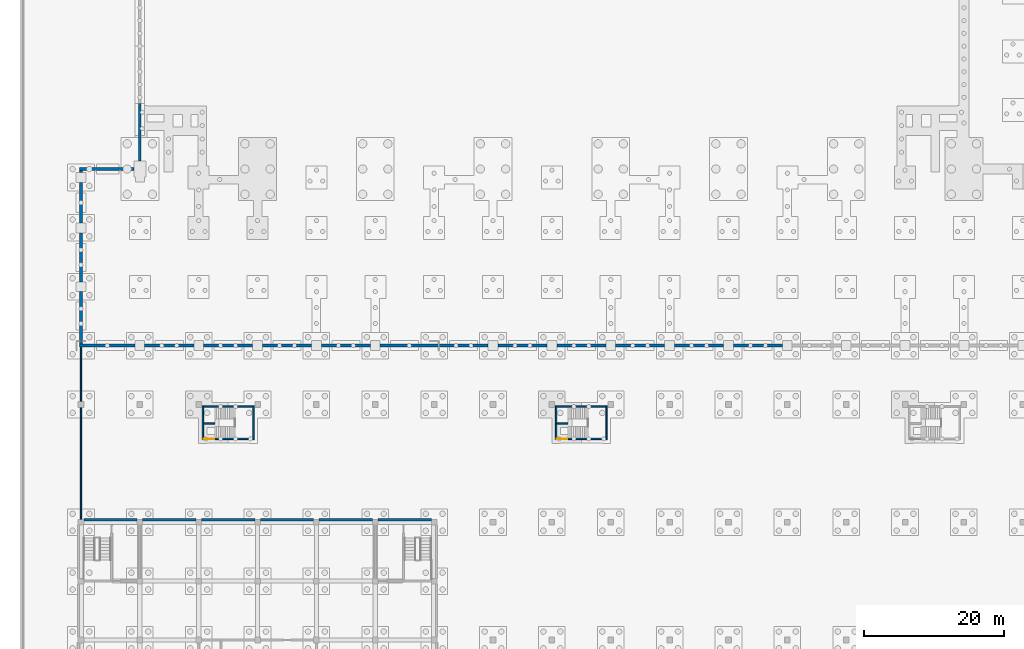
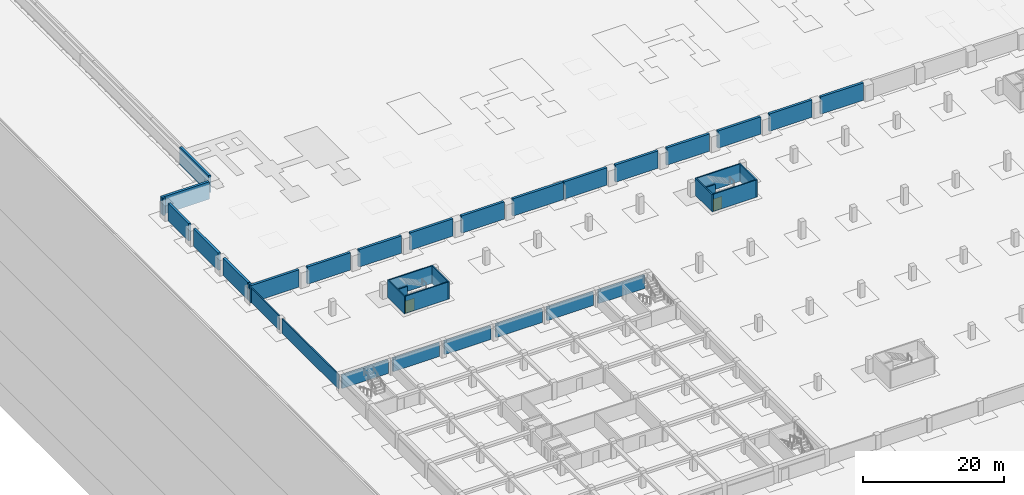
# One storey, part 37 of 67: 37 walls, 2 doors, 2 openings.
"""IFC4 building model written with IfcOpenShell, lengths in metres."""

from ifc_helpers import new_model, si_unit, direction, frame, frame_2d, origin, place, context, subcontext, project, spatial, rectangle, extrude, material, layer, layer_set, type_object, element, fill, save


model = new_model("IFC4")

# Units and contexts
model_context = context("Model", 3, precision=1e-05, world=origin(), true_north=direction((0.0, 1.0)))
body_context = subcontext(model_context, "Body", "Model", "MODEL_VIEW")
ifc_project = project(units=[si_unit("LENGTHUNIT", "METRE"), si_unit("AREAUNIT", "SQUARE_METRE"), si_unit("VOLUMEUNIT", "CUBIC_METRE"), si_unit("PLANEANGLEUNIT", "RADIAN"), si_unit("MASSUNIT", "GRAM", prefix="KILO")], contexts=[model_context])

# Site, building, storey
site_placement = place(None, origin())
site = spatial("IfcSite", under=ifc_project, at=site_placement, CompositionType="ELEMENT")
building_placement = place(site_placement, origin())
building = spatial("IfcBuilding", under=site, at=building_placement, Name="Rain Tree Exposition and Congress Centre", CompositionType="ELEMENT")
storey_placement = place(building_placement, frame((0.0, 0.0, -3.0)))
storey = spatial("IfcBuildingStorey", under=building, at=storey_placement, Name="B1", CompositionType="ELEMENT", Elevation=-3.0)

# Walls
ifc_material_1 = material(Name="Concrete C40/50", Category="concrete")
ifc_layer_1 = layer(ifc_material_1, 0.199951171875)
ifc_layer_set_1 = layer_set([ifc_layer_1], Name="Concrete C40/50")
wall_type_1 = type_object("IfcWallType", Name="Exit stair wall 200", PredefinedType="PARTITIONING", material=ifc_layer_set_1)
for number, where, z_axis, x_axis, name in (
    (1, (67.800048828125, 62.199951171875, 0.0), (0.0, 0.0, 1.0), (0.0, 1.0, 0.0), "Exit stair E3 wall west"),
    (2, (75.0, 62.199951171875, 0.0), (0.0, 0.0, 1.0), (0.0, 1.0, 0.0), "Exit stair E3 wall east"),
):
    element("IfcWall", number, at=place(storey_placement, frame(where, z_axis=z_axis, x_axis=x_axis)), inside=storey, type_object=wall_type_1, Name=name, PredefinedType="SOLIDWALL", context=body_context, shape_type="SweptSolid", body=[
        extrude(rectangle(XDim=4.800048828125, YDim=0.199951171875, at=frame_2d((2.39990234375, 0.0))), origin(), (0.0, 0.0, 1.0), 3.0),
    ])

# Wall, opening, door
wall_1_placement = place(storey_placement, frame((67.89990234375, 62.300048828125, 0.0), z_axis=(0.0, 0.0, 1.0), x_axis=(1.0, 0.0, 0.0)))
wall_1 = element("IfcWall", 3, at=wall_1_placement, inside=storey, type_object=wall_type_1, Name="Exit stair E3 wall south", PredefinedType="SOLIDWALL", context=body_context, shape_type="SweptSolid", body=[
    extrude(rectangle(XDim=7.0, YDim=0.199951171875, at=frame_2d((3.5, 0.0))), origin(), (0.0, 0.0, 1.0), 3.0),
])
opening_1_placement = place(wall_1_placement, origin())
opening_1 = element("IfcOpeningElement", 4, at=opening_1_placement, cuts=wall_1, Name="Opening DS133", PredefinedType="OPENING", context=body_context, shape_type="SweptSolid", body=[
    extrude(rectangle(XDim=1.5, YDim=2.10009765625, at=frame_2d((0.75, 1.050048828125))), frame((0.0, 0.10009765625, 0.0), z_axis=(0.0, -1.0, 0.0), x_axis=(1.0, 0.0, 0.0)), (0.0, 0.0, 1.0), 0.199951171875),
])
ifc_material_2 = material(Name="Powder-coated steel", Category="steel")
door_type = type_object("IfcDoorType", Name="Exit stair door 1500x2100", OperationType="NOTDEFINED", PredefinedType="DOOR", material=ifc_material_2)
door_1_placement = place(opening_1_placement, origin())
door_1 = element("IfcDoor", 5, at=door_1_placement, inside=storey, type_object=door_type, Name="Exit stair E3 door B1", OperationType="SINGLE_SWING_LEFT", OverallHeight=2.10009765625, OverallWidth=1.5, PredefinedType="DOOR", context=body_context, shape_type="SweptSolid", body=[
    extrude(rectangle(XDim=1.5, YDim=2.10009765625, at=frame_2d((0.75, 1.050048828125))), frame((0.0, 0.02490234375, 0.0), z_axis=(0.0, -1.0, 0.0), x_axis=(1.0, 0.0, 0.0)), (0.0, 0.0, 1.0), 0.050048828125),
])
fill(opening_1, door_1)

# Walls
wall_2_placement = place(storey_placement, frame((67.89990234375, 66.89990234375, 0.0), z_axis=(0.0, 0.0, 1.0), x_axis=(1.0, 0.0, 0.0)))
element("IfcWall", 6, at=wall_2_placement, inside=storey, type_object=wall_type_1, Name="Exit stair E3 wall north", PredefinedType="SOLIDWALL", context=body_context, shape_type="SweptSolid", body=[
    extrude(rectangle(XDim=7.0, YDim=0.199951171875, at=frame_2d((3.5, 0.0))), origin(), (0.0, 0.0, 1.0), 3.0),
])
wall_3_placement = place(storey_placement, frame((67.89990234375, 64.5, 0.0), z_axis=(0.0, 0.0, 1.0), x_axis=(1.0, 0.0, 0.0)))
element("IfcWall", 7, at=wall_3_placement, inside=storey, type_object=wall_type_1, Name="Exit stair E3 landing support", PredefinedType="SOLIDWALL", context=body_context, shape_type="SweptSolid", body=[
    extrude(rectangle(XDim=1.60009765625, YDim=0.199951171875, at=frame_2d((0.800048828125, 0.0))), origin(), (0.0, 0.0, 1.0), 2.800048828125),
])
for number, where, z_axis, x_axis, name in (
    (8, (17.39990234375, 62.199951171875, 0.0), (0.0, 0.0, 1.0), (0.0, 1.0, 0.0), "Exit stair E5 wall west"),
    (9, (24.60009765625, 62.199951171875, 0.0), (0.0, 0.0, 1.0), (0.0, 1.0, 0.0), "Exit stair E5 wall east"),
):
    element("IfcWall", number, at=place(storey_placement, frame(where, z_axis=z_axis, x_axis=x_axis)), inside=storey, type_object=wall_type_1, Name=name, PredefinedType="SOLIDWALL", context=body_context, shape_type="SweptSolid", body=[
        extrude(rectangle(XDim=4.800048828125, YDim=0.199951171875, at=frame_2d((2.39990234375, 0.0))), origin(), (0.0, 0.0, 1.0), 3.0),
    ])

# Wall, opening, door
wall_4_placement = place(storey_placement, frame((17.5, 62.300048828125, 0.0), z_axis=(0.0, 0.0, 1.0), x_axis=(1.0, 0.0, 0.0)))
wall_4 = element("IfcWall", 10, at=wall_4_placement, inside=storey, type_object=wall_type_1, Name="Exit stair E5 wall south", PredefinedType="SOLIDWALL", context=body_context, shape_type="SweptSolid", body=[
    extrude(rectangle(XDim=7.0, YDim=0.199951171875, at=frame_2d((3.5, 0.0))), origin(), (0.0, 0.0, 1.0), 3.0),
])
opening_2_placement = place(wall_4_placement, origin())
opening_2 = element("IfcOpeningElement", 11, at=opening_2_placement, cuts=wall_4, Name="Opening DS137", PredefinedType="OPENING", context=body_context, shape_type="SweptSolid", body=[
    extrude(rectangle(XDim=1.5, YDim=2.10009765625, at=frame_2d((0.75, 1.050048828125))), frame((0.0, 0.10009765625, 0.0), z_axis=(0.0, -1.0, 0.0), x_axis=(1.0, 0.0, 0.0)), (0.0, 0.0, 1.0), 0.199951171875),
])
door_2_placement = place(opening_2_placement, origin())
door_2 = element("IfcDoor", 12, at=door_2_placement, inside=storey, type_object=door_type, Name="Exit stair E5 door B1", OperationType="SINGLE_SWING_LEFT", OverallHeight=2.10009765625, OverallWidth=1.5, PredefinedType="DOOR", context=body_context, shape_type="SweptSolid", body=[
    extrude(rectangle(XDim=1.5, YDim=2.10009765625, at=frame_2d((0.75, 1.050048828125))), frame((0.0, 0.02490234375, 0.0), z_axis=(0.0, -1.0, 0.0), x_axis=(1.0, 0.0, 0.0)), (0.0, 0.0, 1.0), 0.050048828125),
])
fill(opening_2, door_2)

# Walls
wall_5_placement = place(storey_placement, frame((17.5, 66.89990234375, 0.0), z_axis=(0.0, 0.0, 1.0), x_axis=(1.0, 0.0, 0.0)))
element("IfcWall", 13, at=wall_5_placement, inside=storey, type_object=wall_type_1, Name="Exit stair E5 wall north", PredefinedType="SOLIDWALL", context=body_context, shape_type="SweptSolid", body=[
    extrude(rectangle(XDim=7.0, YDim=0.199951171875, at=frame_2d((3.5, 0.0))), origin(), (0.0, 0.0, 1.0), 3.0),
])
wall_6_placement = place(storey_placement, frame((17.5, 64.5, 0.0), z_axis=(0.0, 0.0, 1.0), x_axis=(1.0, 0.0, 0.0)))
element("IfcWall", 14, at=wall_6_placement, inside=storey, type_object=wall_type_1, Name="Exit stair E5 landing support", PredefinedType="SOLIDWALL", context=body_context, shape_type="SweptSolid", body=[
    extrude(rectangle(XDim=1.60009765625, YDim=0.199951171875, at=frame_2d((0.800048828125, 0.0))), origin(), (0.0, 0.0, 1.0), 2.800048828125),
])
ifc_material_3 = material(Name="Precast concrete C40/50", Category="concrete")
ifc_layer_2 = layer(ifc_material_3, 0.199951171875)
ifc_layer_set_2 = layer_set([ifc_layer_2], Name="Precast concrete C40/50")
wall_type_2 = type_object("IfcWallType", Name="Louvred precast panel 200", PredefinedType="SOLIDWALL", material=ifc_layer_set_2)
wall_7_placement = place(storey_placement, frame((0.0, 50.800048828125, 0.0), z_axis=(0.0, 0.0, 1.0), x_axis=(0.0, 1.0, 0.0)))
element("IfcWall", 15, at=wall_7_placement, inside=storey, type_object=wall_type_2, Name="Car park louvre panel west-1", PredefinedType="SOLIDWALL", context=body_context, shape_type="SweptSolid", body=[
    extrude(rectangle(XDim=16.0, YDim=0.199951171875, at=frame_2d((8.0, 0.0))), origin(), (0.0, 0.0, 1.0), 2.5),
])
wall_8_placement = place(storey_placement, frame((0.0, 67.60009765625, 0.0), z_axis=(0.0, 0.0, 1.0), x_axis=(0.0, 1.0, 0.0)))
element("IfcWall", 16, at=wall_8_placement, inside=storey, type_object=wall_type_2, Name="Car park louvre panel west-2", PredefinedType="SOLIDWALL", context=body_context, shape_type="SweptSolid", body=[
    extrude(rectangle(XDim=7.7998046875, YDim=0.199951171875, at=frame_2d((3.89990234375, 0.0))), origin(), (0.0, 0.0, 1.0), 2.5),
])
ifc_material_4 = material(Name="Concrete C40/50", Category="concrete")
ifc_layer_3 = layer(ifc_material_4, 0.39990234375)
ifc_layer_set_3 = layer_set([ifc_layer_3], Name="Concrete C40/50")
wall_type_3 = type_object("IfcWallType", Name="Precast retaining wall 400", PredefinedType="SOLIDWALL", material=ifc_layer_set_3)
for number, where, z_axis, x_axis, name in (
    (17, (100.10009765625, 75.60009765625, 0.0), (0.0, 0.0, 1.0), (-1.0, 0.0, 0.0), "Retaining wall 018"),
    (18, (91.699951171875, 75.60009765625, 0.0), (0.0, 0.0, 1.0), (-1.0, 0.0, 0.0), "Retaining wall 019"),
    (19, (83.300048828125, 75.60009765625, 0.0), (0.0, 0.0, 1.0), (-1.0, 0.0, 0.0), "Retaining wall 020"),
    (20, (74.89990234375, 75.60009765625, 0.0), (0.0, 0.0, 1.0), (-1.0, 0.0, 0.0), "Retaining wall 021"),
    (21, (66.5, 75.60009765625, 0.0), (0.0, 0.0, 1.0), (-1.0, 0.0, 0.0), "Retaining wall 022"),
    (22, (58.10009765625, 75.60009765625, 0.0), (0.0, 0.0, 1.0), (-1.0, 0.0, 0.0), "Retaining wall 023"),
):
    element("IfcWall", number, at=place(storey_placement, frame(where, z_axis=z_axis, x_axis=x_axis)), inside=storey, type_object=wall_type_3, Name=name, PredefinedType="SOLIDWALL", context=body_context, shape_type="SweptSolid", body=[
        extrude(rectangle(XDim=7.0, YDim=0.39990234375, at=frame_2d((3.5, 0.0))), origin(), (0.0, 0.0, 1.0), 3.0),
    ])
wall_9_placement = place(storey_placement, frame((51.0, 75.60009765625, 0.0), z_axis=(0.0, 0.0, 1.0), x_axis=(-1.0, 0.0, 0.0)))
element("IfcWall", 23, at=wall_9_placement, inside=storey, type_object=wall_type_3, Name="Retaining wall 024", PredefinedType="SOLIDWALL", context=body_context, shape_type="SweptSolid", body=[
    extrude(rectangle(XDim=8.300048828125, YDim=0.39990234375, at=frame_2d((4.14990234375, 0.0))), origin(), (0.0, 0.0, 1.0), 3.0),
])
for number, where, z_axis, x_axis, name in (
    (24, (41.300048828125, 75.60009765625, 0.0), (0.0, 0.0, 1.0), (-1.0, 0.0, 0.0), "Retaining wall 025"),
    (25, (32.89990234375, 75.60009765625, 0.0), (0.0, 0.0, 1.0), (-1.0, 0.0, 0.0), "Retaining wall 026"),
    (26, (24.5, 75.60009765625, 0.0), (0.0, 0.0, 1.0), (-1.0, 0.0, 0.0), "Retaining wall 027"),
    (27, (16.10009765625, 75.60009765625, 0.0), (0.0, 0.0, 1.0), (-1.0, 0.0, 0.0), "Retaining wall 028"),
):
    element("IfcWall", number, at=place(storey_placement, frame(where, z_axis=z_axis, x_axis=x_axis)), inside=storey, type_object=wall_type_3, Name=name, PredefinedType="SOLIDWALL", context=body_context, shape_type="SweptSolid", body=[
        extrude(rectangle(XDim=7.0, YDim=0.39990234375, at=frame_2d((3.5, 0.0))), origin(), (0.0, 0.0, 1.0), 3.0),
    ])
wall_10_placement = place(storey_placement, frame((7.699951171875, 75.60009765625, 0.0), z_axis=(0.0, 0.0, 1.0), x_axis=(-1.0, 0.0, 0.0)))
element("IfcWall", 28, at=wall_10_placement, inside=storey, type_object=wall_type_3, Name="Retaining wall 029", PredefinedType="SOLIDWALL", context=body_context, shape_type="SweptSolid", body=[
    extrude(rectangle(XDim=7.89990234375, YDim=0.39990234375, at=frame_2d((3.949951171875, 0.0))), origin(), (0.0, 0.0, 1.0), 3.0),
])
wall_11_placement = place(storey_placement, frame((0.0, 75.800048828125, 0.0), z_axis=(0.0, 0.0, 1.0), x_axis=(0.0, 1.0, 0.0)))
element("IfcWall", 29, at=wall_11_placement, inside=storey, type_object=wall_type_3, Name="Retaining wall 030", PredefinedType="SOLIDWALL", context=body_context, shape_type="SweptSolid", body=[
    extrude(rectangle(XDim=0.39990234375, YDim=0.39990234375, at=frame_2d((0.199951171875, 0.0))), origin(), (0.0, 0.0, 1.0), 3.0),
])
for number, where, z_axis, x_axis, name in (
    (30, (0.0, 76.300048828125, 0.0), (0.0, 0.0, 1.0), (0.0, 1.0, 0.0), "Retaining wall 031"),
    (31, (0.0, 84.699951171875, 0.0), (0.0, 0.0, 1.0), (0.0, 1.0, 0.0), "Retaining wall 032"),
):
    element("IfcWall", number, at=place(storey_placement, frame(where, z_axis=z_axis, x_axis=x_axis)), inside=storey, type_object=wall_type_3, Name=name, PredefinedType="SOLIDWALL", context=body_context, shape_type="SweptSolid", body=[
        extrude(rectangle(XDim=7.0, YDim=0.39990234375, at=frame_2d((3.5, 0.0))), origin(), (0.0, 0.0, 1.0), 3.0),
    ])
wall_12_placement = place(storey_placement, frame((0.0, 93.10009765625, 0.0), z_axis=(0.0, 0.0, 1.0), x_axis=(0.0, 1.0, 0.0)))
element("IfcWall", 32, at=wall_12_placement, inside=storey, type_object=wall_type_3, Name="Retaining wall 033", PredefinedType="SOLIDWALL", context=body_context, shape_type="SweptSolid", body=[
    extrude(rectangle(XDim=5.7998046875, YDim=0.39990234375, at=frame_2d((2.89990234375, 0.0))), origin(), (0.0, 0.0, 1.0), 3.0),
])
wall_13_placement = place(storey_placement, frame((0.0, 100.300048828125, 0.0), z_axis=(0.0, 0.0, 1.0), x_axis=(0.0, 1.0, 0.0)))
element("IfcWall", 33, at=wall_13_placement, inside=storey, type_object=wall_type_3, Name="Retaining wall 034", PredefinedType="SOLIDWALL", context=body_context, shape_type="SweptSolid", body=[
    extrude(rectangle(XDim=0.300048828125, YDim=0.39990234375, at=frame_2d((0.14990234375, 0.0))), origin(), (0.0, 0.0, 1.0), 3.0),
])
wall_14_placement = place(storey_placement, frame((-0.199951171875, 100.800048828125, 0.0), z_axis=(0.0, 0.0, 1.0), x_axis=(1.0, 0.0, 0.0)))
element("IfcWall", 34, at=wall_14_placement, inside=storey, type_object=wall_type_3, Name="Retaining wall 035", PredefinedType="SOLIDWALL", context=body_context, shape_type="SweptSolid", body=[
    extrude(rectangle(XDim=7.75, YDim=0.39990234375, at=frame_2d((3.875, 0.0))), origin(), (0.0, 0.0, 1.0), 3.0),
])
wall_15_placement = place(storey_placement, frame((8.39990234375, 101.949951171875, 0.0), z_axis=(0.0, 0.0, 1.0), x_axis=(0.0, 1.0, 0.0)))
element("IfcWall", 35, at=wall_15_placement, inside=storey, type_object=wall_type_3, Name="Retaining wall 036", PredefinedType="SOLIDWALL", context=body_context, shape_type="SweptSolid", body=[
    extrude(rectangle(XDim=8.208251953125, YDim=0.39990234375, at=frame_2d((4.10400390625, 0.0))), origin(), (0.0, 0.0, 1.0), 3.0),
])
ifc_material_5 = material(Name="Insulated cavity wall")
ifc_layer_4 = layer(ifc_material_5, 0.300048828125)
ifc_layer_set_4 = layer_set([ifc_layer_4], Name="Insulated cavity wall")
wall_type_4 = type_object("IfcWallType", Name="Wing external wall 300", PredefinedType="SOLIDWALL", material=ifc_layer_set_4)
wall_16_placement = place(storey_placement, frame((0.39990234375, 50.75, 0.0), z_axis=(0.0, 0.0, 1.0), x_axis=(1.0, 0.0, 0.0)))
element("IfcWall", 36, at=wall_16_placement, inside=storey, type_object=wall_type_4, Name="wing/facade/B1/N0", PredefinedType="SOLIDWALL", context=body_context, shape_type="SweptSolid", body=[
    extrude(rectangle(XDim=7.60009765625, YDim=0.300048828125, at=frame_2d((3.800048828125, 0.0))), origin(), (0.0, 0.0, 1.0), 2.300048828125),
])
wall_17_placement = place(storey_placement, frame((8.800048828125, 50.75, 0.0), z_axis=(0.0, 0.0, 1.0), x_axis=(1.0, 0.0, 0.0)))
element("IfcWall", 37, at=wall_17_placement, inside=storey, type_object=wall_type_4, Name="wing/facade/B1/N1", PredefinedType="SOLIDWALL", context=body_context, shape_type="SweptSolid", body=[
    extrude(rectangle(XDim=7.599853515625, YDim=0.300048828125, at=frame_2d((3.7998046875, 0.0))), origin(), (0.0, 0.0, 1.0), 2.300048828125),
])
wall_18_placement = place(storey_placement, frame((17.199951171875, 50.75, 0.0), z_axis=(0.0, 0.0, 1.0), x_axis=(1.0, 0.0, 0.0)))
element("IfcWall", 38, at=wall_18_placement, inside=storey, type_object=wall_type_4, Name="wing/facade/B1/N2", PredefinedType="SOLIDWALL", context=body_context, shape_type="SweptSolid", body=[
    extrude(rectangle(XDim=7.60009765625, YDim=0.300048828125, at=frame_2d((3.800048828125, 0.0))), origin(), (0.0, 0.0, 1.0), 2.300048828125),
])
wall_19_placement = place(storey_placement, frame((25.60009765625, 50.75, 0.0), z_axis=(0.0, 0.0, 1.0), x_axis=(1.0, 0.0, 0.0)))
element("IfcWall", 39, at=wall_19_placement, inside=storey, type_object=wall_type_4, Name="wing/facade/B1/N3", PredefinedType="SOLIDWALL", context=body_context, shape_type="SweptSolid", body=[
    extrude(rectangle(XDim=7.599853515625, YDim=0.300048828125, at=frame_2d((3.7998046875, 0.0))), origin(), (0.0, 0.0, 1.0), 2.300048828125),
])
for number, where, z_axis, x_axis, name in (
    (40, (34.0, 50.75, 0.0), (0.0, 0.0, 1.0), (1.0, 0.0, 0.0), "wing/facade/B1/N4"),
    (41, (42.39990234375, 50.75, 0.0), (0.0, 0.0, 1.0), (1.0, 0.0, 0.0), "wing/facade/B1/N5"),
):
    element("IfcWall", number, at=place(storey_placement, frame(where, z_axis=z_axis, x_axis=x_axis)), inside=storey, type_object=wall_type_4, Name=name, PredefinedType="SOLIDWALL", context=body_context, shape_type="SweptSolid", body=[
        extrude(rectangle(XDim=7.60009765625, YDim=0.300048828125, at=frame_2d((3.800048828125, 0.0))), origin(), (0.0, 0.0, 1.0), 2.300048828125),
    ])

save(model, "model.ifc")
